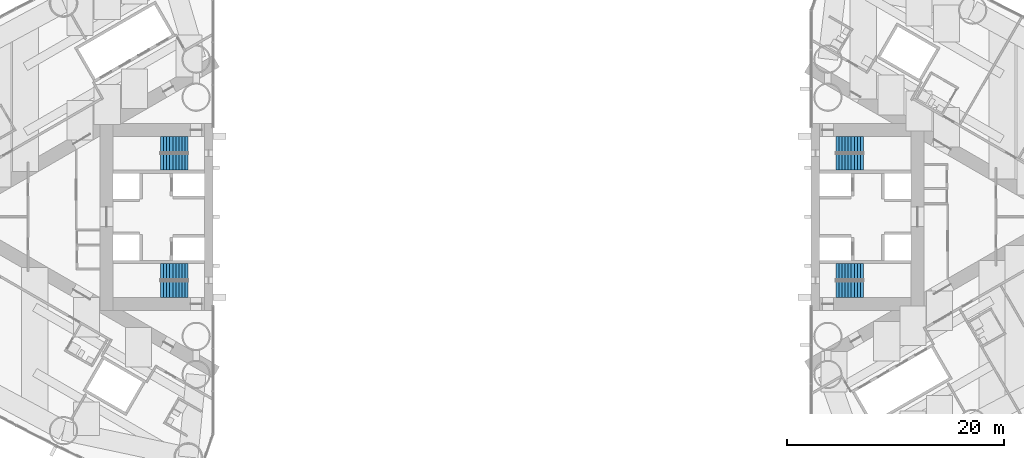
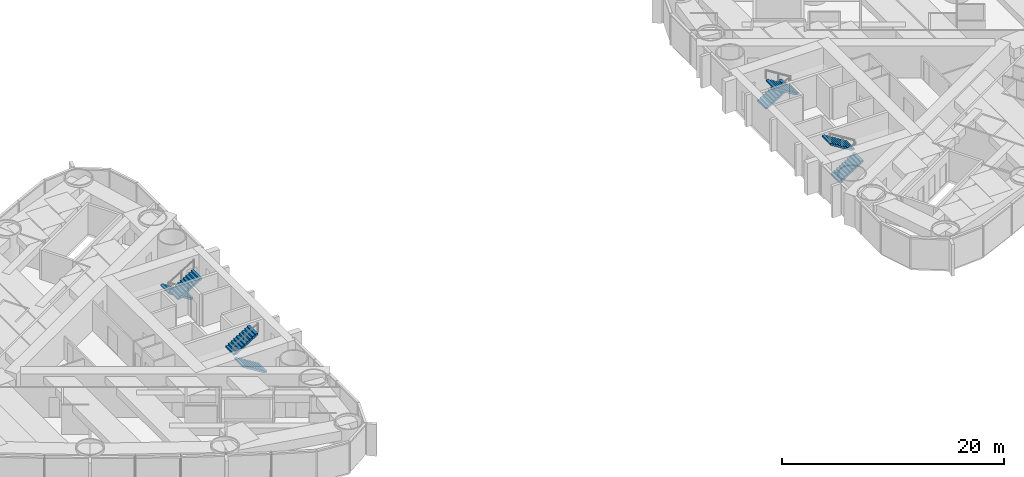
# One storey, part 16 of 18: 8 stair flights, 4 elements without a shape of their own.
"""IFC4 building model written with IfcOpenShell, lengths in metres."""

from ifc_helpers import new_model, si_unit, direction, frame, origin, place, context, subcontext, project, spatial, polyline, outline, extrude, material, type_object, element, aggregate, save


model = new_model("IFC4")

# Units and contexts
model_context = context("Model", 3, precision=1e-05, world=origin(), true_north=direction((0.0, 1.0)))
body_context = subcontext(model_context, "Body", "Model", "MODEL_VIEW")
ifc_project = project(units=[si_unit("LENGTHUNIT", "METRE"), si_unit("AREAUNIT", "SQUARE_METRE"), si_unit("VOLUMEUNIT", "CUBIC_METRE"), si_unit("PLANEANGLEUNIT", "RADIAN"), si_unit("MASSUNIT", "GRAM", prefix="KILO")], contexts=[model_context])

# Site, building, storey
site_placement = place(None, origin())
site = spatial("IfcSite", under=ifc_project, at=site_placement, CompositionType="ELEMENT")
building_placement = place(site_placement, origin())
building = spatial("IfcBuilding", under=site, at=building_placement, Name="Lancet Gate Hotel", CompositionType="ELEMENT")
storey_placement = place(building_placement, frame((0.0, 0.0, 94.10009765625)))
storey = spatial("IfcBuildingStorey", under=building, at=storey_placement, Name="L24", CompositionType="ELEMENT", Elevation=94.10009765625)

# Stair, stair flights
ifc_material_1 = material(Name="Exit stair 20 risers 1500")
stair_type = type_object("IfcStairType", Name="Exit stair 20 risers 1500", PredefinedType="HALF_TURN_STAIR", material=ifc_material_1)
stair_1_placement = place(storey_placement, origin())
stair_1 = element("IfcStair", 1, at=stair_1_placement, inside=storey, type_object=stair_type, Name="T1 stair 1 L24", PredefinedType="HALF_TURN_STAIR")
ifc_material_2 = material(Name="Stair flight 10 risers 175 rise 1500")
stair_flight_type = type_object("IfcStairFlightType", Name="Stair flight 10 risers 175 rise 1500", PredefinedType="STRAIGHT", material=ifc_material_2)
stair_flight_1_placement = place(storey_placement, frame((-29.800048828125, 6.64990234375, 0.0), z_axis=(0.0, 0.0, 1.0), x_axis=(-1.0, 0.0, 0.0)))
stair_flight_1 = element("IfcStairFlight", 2, at=stair_flight_1_placement, type_object=stair_flight_type, Name="ST1 flight 1", NumberOfRisers=10, NumberOfTreads=9, PredefinedType="STRAIGHT", RiserHeight=0.175, TreadLength=0.28, context=body_context, shape_type="SweptSolid", body=[
    extrude(outline(polyline([(0.0, 0.0), (0.0, 0.175048828125), (0.280029296875, 0.175048828125), (0.280029296875, 0.35009765625), (0.56005859375, 0.35009765625), (0.56005859375, 0.52490234375), (0.840087890625, 0.52490234375), (0.840087890625, 0.699951171875), (1.1201171875, 0.699951171875), (1.1201171875, 0.875), (1.39990234375, 0.875), (1.39990234375, 1.050048828125), (1.679931640625, 1.050048828125), (1.679931640625, 1.22509765625), (1.9599609375, 1.22509765625), (1.9599609375, 1.39990234375), (2.239990234375, 1.39990234375), (2.239990234375, 1.574951171875), (2.52001953125, 1.574951171875), (2.52001953125, 1.75), (2.52001953125, 1.398193359375), (0.28271484375, 0.0), (0.0, 0.0)])), frame((0.0, 0.75, 0.0), z_axis=(0.0, -1.0, 0.0), x_axis=(1.0, 0.0, 0.0)), (0.0, 0.0, 1.0), 1.5),
])
stair_flight_2_placement = place(storey_placement, frame((-32.320068359375, 5.050048828125, 1.75), z_axis=(0.0, 0.0, 1.0), x_axis=(1.0, 0.0, 0.0)))
stair_flight_2 = element("IfcStairFlight", 3, at=stair_flight_2_placement, type_object=stair_flight_type, Name="ST1 flight 2", NumberOfRisers=10, NumberOfTreads=9, PredefinedType="STRAIGHT", RiserHeight=0.175, TreadLength=0.28, context=body_context, shape_type="SweptSolid", body=[
    extrude(outline(polyline([(0.0, 0.0), (0.0, 0.175048828125), (0.280029296875, 0.175048828125), (0.280029296875, 0.35009765625), (0.56005859375, 0.35009765625), (0.56005859375, 0.52490234375), (0.840087890625, 0.52490234375), (0.840087890625, 0.699951171875), (1.1201171875, 0.699951171875), (1.1201171875, 0.875), (1.39990234375, 0.875), (1.39990234375, 1.050048828125), (1.679931640625, 1.050048828125), (1.679931640625, 1.22509765625), (1.9599609375, 1.22509765625), (1.9599609375, 1.39990234375), (2.239990234375, 1.39990234375), (2.239990234375, 1.574951171875), (2.52001953125, 1.574951171875), (2.52001953125, 1.75), (2.52001953125, 1.398193359375), (0.28271484375, 0.0), (0.0, 0.0)])), frame((0.0, 0.75, 0.0), z_axis=(0.0, -1.0, 0.0), x_axis=(1.0, 0.0, 0.0)), (0.0, 0.0, 1.0), 1.5),
])
aggregate(stair_1, [stair_flight_1, stair_flight_2])

stair_2_placement = place(storey_placement, origin())
stair_2 = element("IfcStair", 4, at=stair_2_placement, inside=storey, type_object=stair_type, Name="T1 stair 2 L24", PredefinedType="HALF_TURN_STAIR")
stair_flight_3_placement = place(storey_placement, frame((-29.800048828125, -6.64990234375, 0.0), z_axis=(0.0, 0.0, 1.0), x_axis=(-1.0, 0.0, 0.0)))
stair_flight_3 = element("IfcStairFlight", 5, at=stair_flight_3_placement, type_object=stair_flight_type, Name="ST2 flight 1", NumberOfRisers=10, NumberOfTreads=9, PredefinedType="STRAIGHT", RiserHeight=0.175, TreadLength=0.28, context=body_context, shape_type="SweptSolid", body=[
    extrude(outline(polyline([(0.0, 0.0), (0.0, 0.175048828125), (0.280029296875, 0.175048828125), (0.280029296875, 0.35009765625), (0.56005859375, 0.35009765625), (0.56005859375, 0.52490234375), (0.840087890625, 0.52490234375), (0.840087890625, 0.699951171875), (1.1201171875, 0.699951171875), (1.1201171875, 0.875), (1.39990234375, 0.875), (1.39990234375, 1.050048828125), (1.679931640625, 1.050048828125), (1.679931640625, 1.22509765625), (1.9599609375, 1.22509765625), (1.9599609375, 1.39990234375), (2.239990234375, 1.39990234375), (2.239990234375, 1.574951171875), (2.52001953125, 1.574951171875), (2.52001953125, 1.75), (2.52001953125, 1.398193359375), (0.28271484375, 0.0), (0.0, 0.0)])), frame((0.0, 0.75, 0.0), z_axis=(0.0, -1.0, 0.0), x_axis=(1.0, 0.0, 0.0)), (0.0, 0.0, 1.0), 1.5),
])
stair_flight_4_placement = place(storey_placement, frame((-32.320068359375, -5.050048828125, 1.75), z_axis=(0.0, 0.0, 1.0), x_axis=(1.0, 0.0, 0.0)))
stair_flight_4 = element("IfcStairFlight", 6, at=stair_flight_4_placement, type_object=stair_flight_type, Name="ST2 flight 2", NumberOfRisers=10, NumberOfTreads=9, PredefinedType="STRAIGHT", RiserHeight=0.175, TreadLength=0.28, context=body_context, shape_type="SweptSolid", body=[
    extrude(outline(polyline([(0.0, 0.0), (0.0, 0.175048828125), (0.280029296875, 0.175048828125), (0.280029296875, 0.35009765625), (0.56005859375, 0.35009765625), (0.56005859375, 0.52490234375), (0.840087890625, 0.52490234375), (0.840087890625, 0.699951171875), (1.1201171875, 0.699951171875), (1.1201171875, 0.875), (1.39990234375, 0.875), (1.39990234375, 1.050048828125), (1.679931640625, 1.050048828125), (1.679931640625, 1.22509765625), (1.9599609375, 1.22509765625), (1.9599609375, 1.39990234375), (2.239990234375, 1.39990234375), (2.239990234375, 1.574951171875), (2.52001953125, 1.574951171875), (2.52001953125, 1.75), (2.52001953125, 1.398193359375), (0.28271484375, 0.0), (0.0, 0.0)])), frame((0.0, 0.75, 0.0), z_axis=(0.0, -1.0, 0.0), x_axis=(1.0, 0.0, 0.0)), (0.0, 0.0, 1.0), 1.5),
])
aggregate(stair_2, [stair_flight_3, stair_flight_4])

stair_3_placement = place(storey_placement, origin())
stair_3 = element("IfcStair", 7, at=stair_3_placement, inside=storey, type_object=stair_type, Name="T2 stair 1 L24", PredefinedType="HALF_TURN_STAIR")
stair_flight_5_placement = place(storey_placement, frame((29.800048828125, -6.64990234375, 0.0), z_axis=(0.0, 0.0, 1.0), x_axis=(1.0, 0.0, 0.0)))
stair_flight_5 = element("IfcStairFlight", 8, at=stair_flight_5_placement, type_object=stair_flight_type, Name="ST3 flight 1", NumberOfRisers=10, NumberOfTreads=9, PredefinedType="STRAIGHT", RiserHeight=0.175, TreadLength=0.28, context=body_context, shape_type="SweptSolid", body=[
    extrude(outline(polyline([(0.0, 0.0), (0.0, 0.175048828125), (0.280029296875, 0.175048828125), (0.280029296875, 0.35009765625), (0.56005859375, 0.35009765625), (0.56005859375, 0.52490234375), (0.840087890625, 0.52490234375), (0.840087890625, 0.699951171875), (1.1201171875, 0.699951171875), (1.1201171875, 0.875), (1.39990234375, 0.875), (1.39990234375, 1.050048828125), (1.679931640625, 1.050048828125), (1.679931640625, 1.22509765625), (1.9599609375, 1.22509765625), (1.9599609375, 1.39990234375), (2.239990234375, 1.39990234375), (2.239990234375, 1.574951171875), (2.52001953125, 1.574951171875), (2.52001953125, 1.75), (2.52001953125, 1.398193359375), (0.28271484375, 0.0), (0.0, 0.0)])), frame((0.0, 0.75, 0.0), z_axis=(0.0, -1.0, 0.0), x_axis=(1.0, 0.0, 0.0)), (0.0, 0.0, 1.0), 1.5),
])
stair_flight_6_placement = place(storey_placement, frame((32.320068359375, -5.050048828125, 1.75), z_axis=(0.0, 0.0, 1.0), x_axis=(-1.0, 0.0, 0.0)))
stair_flight_6 = element("IfcStairFlight", 9, at=stair_flight_6_placement, type_object=stair_flight_type, Name="ST3 flight 2", NumberOfRisers=10, NumberOfTreads=9, PredefinedType="STRAIGHT", RiserHeight=0.175, TreadLength=0.28, context=body_context, shape_type="SweptSolid", body=[
    extrude(outline(polyline([(0.0, 0.0), (0.0, 0.175048828125), (0.280029296875, 0.175048828125), (0.280029296875, 0.35009765625), (0.56005859375, 0.35009765625), (0.56005859375, 0.52490234375), (0.840087890625, 0.52490234375), (0.840087890625, 0.699951171875), (1.1201171875, 0.699951171875), (1.1201171875, 0.875), (1.39990234375, 0.875), (1.39990234375, 1.050048828125), (1.679931640625, 1.050048828125), (1.679931640625, 1.22509765625), (1.9599609375, 1.22509765625), (1.9599609375, 1.39990234375), (2.239990234375, 1.39990234375), (2.239990234375, 1.574951171875), (2.52001953125, 1.574951171875), (2.52001953125, 1.75), (2.52001953125, 1.398193359375), (0.28271484375, 0.0), (0.0, 0.0)])), frame((0.0, 0.75, 0.0), z_axis=(0.0, -1.0, 0.0), x_axis=(1.0, 0.0, 0.0)), (0.0, 0.0, 1.0), 1.5),
])
aggregate(stair_3, [stair_flight_5, stair_flight_6])

stair_4_placement = place(storey_placement, origin())
stair_4 = element("IfcStair", 10, at=stair_4_placement, inside=storey, type_object=stair_type, Name="T2 stair 2 L24", PredefinedType="HALF_TURN_STAIR")
stair_flight_7_placement = place(storey_placement, frame((29.800048828125, 6.64990234375, 0.0), z_axis=(0.0, 0.0, 1.0), x_axis=(1.0, 0.0, 0.0)))
stair_flight_7 = element("IfcStairFlight", 11, at=stair_flight_7_placement, type_object=stair_flight_type, Name="ST4 flight 1", NumberOfRisers=10, NumberOfTreads=9, PredefinedType="STRAIGHT", RiserHeight=0.175, TreadLength=0.28, context=body_context, shape_type="SweptSolid", body=[
    extrude(outline(polyline([(0.0, 0.0), (0.0, 0.175048828125), (0.280029296875, 0.175048828125), (0.280029296875, 0.35009765625), (0.56005859375, 0.35009765625), (0.56005859375, 0.52490234375), (0.840087890625, 0.52490234375), (0.840087890625, 0.699951171875), (1.1201171875, 0.699951171875), (1.1201171875, 0.875), (1.39990234375, 0.875), (1.39990234375, 1.050048828125), (1.679931640625, 1.050048828125), (1.679931640625, 1.22509765625), (1.9599609375, 1.22509765625), (1.9599609375, 1.39990234375), (2.239990234375, 1.39990234375), (2.239990234375, 1.574951171875), (2.52001953125, 1.574951171875), (2.52001953125, 1.75), (2.52001953125, 1.398193359375), (0.28271484375, 0.0), (0.0, 0.0)])), frame((0.0, 0.75, 0.0), z_axis=(0.0, -1.0, 0.0), x_axis=(1.0, 0.0, 0.0)), (0.0, 0.0, 1.0), 1.5),
])
stair_flight_8_placement = place(storey_placement, frame((32.320068359375, 5.050048828125, 1.75), z_axis=(0.0, 0.0, 1.0), x_axis=(-1.0, 0.0, 0.0)))
stair_flight_8 = element("IfcStairFlight", 12, at=stair_flight_8_placement, type_object=stair_flight_type, Name="ST4 flight 2", NumberOfRisers=10, NumberOfTreads=9, PredefinedType="STRAIGHT", RiserHeight=0.175, TreadLength=0.28, context=body_context, shape_type="SweptSolid", body=[
    extrude(outline(polyline([(0.0, 0.0), (0.0, 0.175048828125), (0.280029296875, 0.175048828125), (0.280029296875, 0.35009765625), (0.56005859375, 0.35009765625), (0.56005859375, 0.52490234375), (0.840087890625, 0.52490234375), (0.840087890625, 0.699951171875), (1.1201171875, 0.699951171875), (1.1201171875, 0.875), (1.39990234375, 0.875), (1.39990234375, 1.050048828125), (1.679931640625, 1.050048828125), (1.679931640625, 1.22509765625), (1.9599609375, 1.22509765625), (1.9599609375, 1.39990234375), (2.239990234375, 1.39990234375), (2.239990234375, 1.574951171875), (2.52001953125, 1.574951171875), (2.52001953125, 1.75), (2.52001953125, 1.398193359375), (0.28271484375, 0.0), (0.0, 0.0)])), frame((0.0, 0.75, 0.0), z_axis=(0.0, -1.0, 0.0), x_axis=(1.0, 0.0, 0.0)), (0.0, 0.0, 1.0), 1.5),
])
aggregate(stair_4, [stair_flight_7, stair_flight_8])

save(model, "model.ifc")
